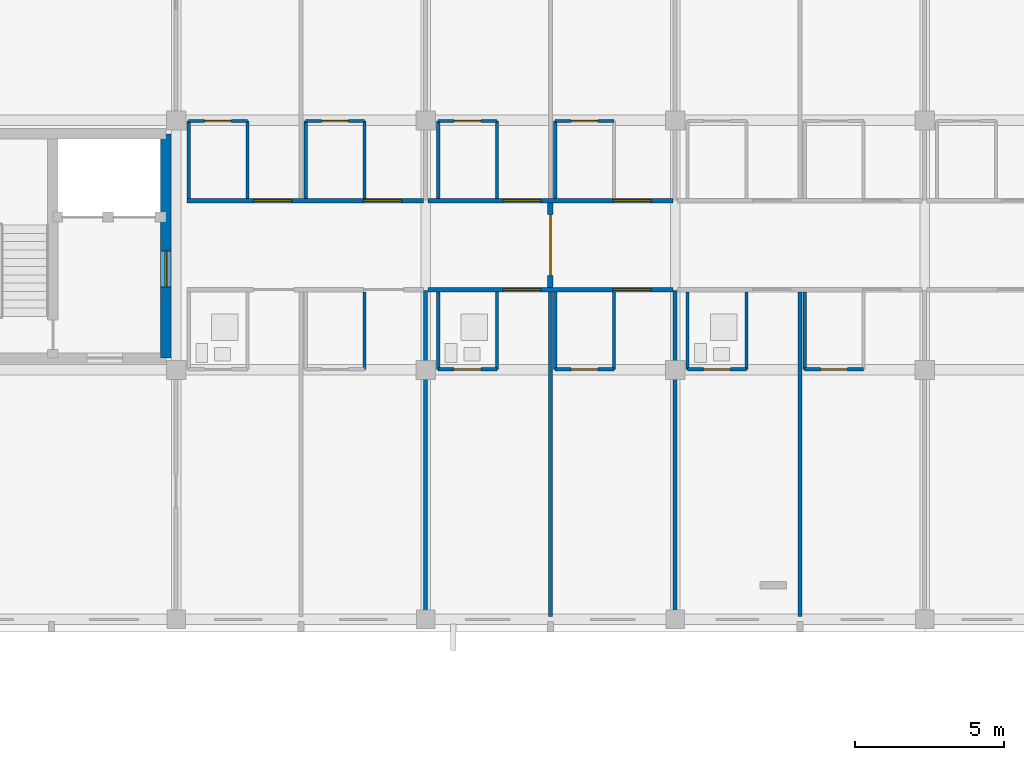
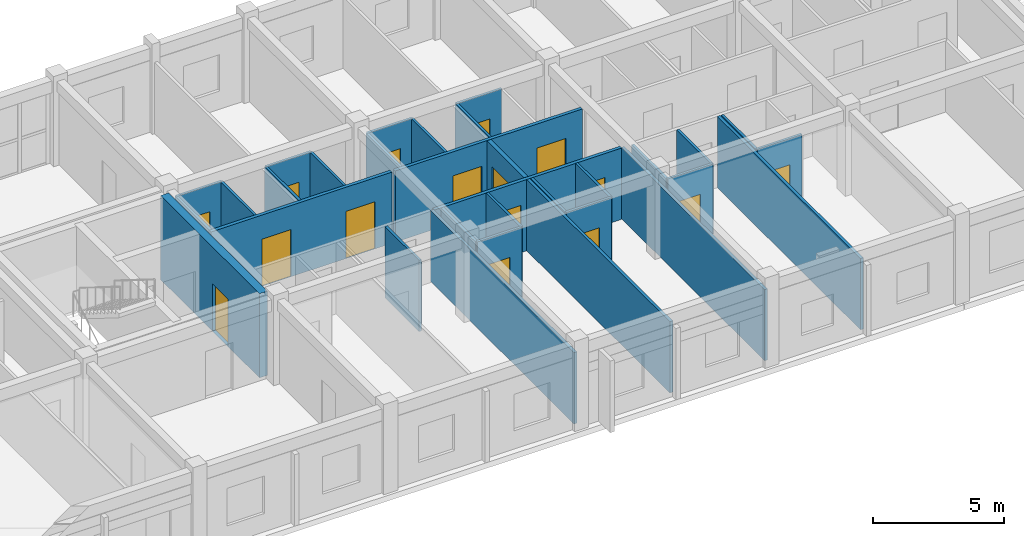
# One storey, part 67 of 81: 32 walls, 16 doors, 16 openings.
"""IFC4 building model written with IfcOpenShell, lengths in metres."""

from ifc_helpers import new_model, si_unit, direction, frame, frame_2d, origin, place, context, subcontext, project, spatial, rectangle, extrude, material, layer, layer_set, type_object, element, fill, save


model = new_model("IFC4")

# Units and contexts
model_context = context("Model", 3, precision=1e-05, world=origin(), true_north=direction((0.0, 1.0)))
body_context = subcontext(model_context, "Body", "Model", "MODEL_VIEW")
ifc_project = project(units=[si_unit("LENGTHUNIT", "METRE"), si_unit("AREAUNIT", "SQUARE_METRE"), si_unit("VOLUMEUNIT", "CUBIC_METRE"), si_unit("PLANEANGLEUNIT", "RADIAN"), si_unit("MASSUNIT", "GRAM", prefix="KILO")], contexts=[model_context])

# Site, building, storey
site_placement = place(None, origin())
site = spatial("IfcSite", under=ifc_project, at=site_placement, CompositionType="ELEMENT")
building_placement = place(site_placement, origin())
building = spatial("IfcBuilding", under=site, at=building_placement, Name="Trelvath General Hospital", CompositionType="ELEMENT")
storey_placement = place(building_placement, frame((0.0, 0.0, 24.60009765625)))
storey = spatial("IfcBuildingStorey", under=building, at=storey_placement, Name="L06", CompositionType="ELEMENT", Elevation=24.60009765625)

# Wall, openings, doors
ifc_material_1 = material(Name="Gypsum acoustic steel-stud partition", Category="steel")
ifc_layer_1 = layer(ifc_material_1, 0.14990234375)
ifc_layer_set_1 = layer_set([ifc_layer_1], Name="Gypsum acoustic steel-stud partition")
wall_type_1 = type_object("IfcWallType", Name="ClinicalPartition 150", PredefinedType="PARTITIONING", material=ifc_layer_set_1)
wall_1_placement = place(storey_placement, frame((58.719970703125, 106.5, 0.0), z_axis=(0.0, 0.0, 1.0), x_axis=(-1.0, 0.0, 0.0)))
wall_1 = element("IfcWall", 1, at=wall_1_placement, inside=storey, type_object=wall_type_1, Name="Corridor Partition N L06-2179", PredefinedType="PARTITIONING", context=body_context, shape_type="SweptSolid", body=[
    extrude(rectangle(XDim=7.9599609375, YDim=0.14990234375, at=frame_2d((3.97998046875, 0.0))), origin(), (0.0, 0.0, 1.0), 3.31982421875),
])
opening_1_placement = place(wall_1_placement, frame((0.72998046875, 0.0, 0.0)))
opening_1 = element("IfcOpeningElement", 2, at=opening_1_placement, cuts=wall_1, Name="Opening D-6-1385", PredefinedType="OPENING", context=body_context, shape_type="SweptSolid", body=[
    extrude(rectangle(XDim=1.280029296875, YDim=2.199951171875, at=frame_2d((0.64013671875, 1.10009765625))), frame((0.0, 0.0849609375, 0.0), z_axis=(0.0, -1.0, 0.0), x_axis=(1.0, 0.0, 0.0)), (0.0, 0.0, 1.0), 0.169921875),
])
opening_2_placement = place(wall_1_placement, frame((4.429931640625, 0.0, 0.0)))
opening_2 = element("IfcOpeningElement", 3, at=opening_2_placement, cuts=wall_1, Name="Opening D-6-1386", PredefinedType="OPENING", context=body_context, shape_type="SweptSolid", body=[
    extrude(rectangle(XDim=1.280029296875, YDim=2.199951171875, at=frame_2d((0.64013671875, 1.10009765625))), frame((0.0, 0.0849609375, 0.0), z_axis=(0.0, -1.0, 0.0), x_axis=(1.0, 0.0, 0.0)), (0.0, 0.0, 1.0), 0.169921875),
])
ifc_material_2 = material(Name="Pediatric ward timber door", Category="wood")
door_type_1 = type_object("IfcDoorType", Name="Door PatientPeds 1280x2200", OperationType="NOTDEFINED", PredefinedType="DOOR", material=ifc_material_2)
door_1_placement = place(opening_1_placement, origin())
door_1 = element("IfcDoor", 4, at=door_1_placement, inside=storey, type_object=door_type_1, Name="Patient Room Door N L06-1385", OperationType="SINGLE_SWING_RIGHT", OverallHeight=2.199951171875, OverallWidth=1.280029296875, PredefinedType="DOOR", context=body_context, shape_type="SweptSolid", body=[
    extrude(rectangle(XDim=1.280029296875, YDim=2.199951171875, at=frame_2d((0.64013671875, 1.10009765625))), frame((0.0, 0.02490234375, 0.0), z_axis=(0.0, -1.0, 0.0), x_axis=(1.0, 0.0, 0.0)), (0.0, 0.0, 1.0), 0.050048828125),
])
fill(opening_1, door_1)
door_2_placement = place(opening_2_placement, origin())
door_2 = element("IfcDoor", 5, at=door_2_placement, inside=storey, type_object=door_type_1, Name="Patient Room Door N L06-1386", OperationType="SINGLE_SWING_RIGHT", OverallHeight=2.199951171875, OverallWidth=1.280029296875, PredefinedType="DOOR", context=body_context, shape_type="SweptSolid", body=[
    extrude(rectangle(XDim=1.280029296875, YDim=2.199951171875, at=frame_2d((0.64013671875, 1.10009765625))), frame((0.0, 0.02490234375, 0.0), z_axis=(0.0, -1.0, 0.0), x_axis=(1.0, 0.0, 0.0)), (0.0, 0.0, 1.0), 0.050048828125),
])
fill(opening_2, door_2)

wall_2_placement = place(storey_placement, frame((58.8798828125, 103.5, 0.0), z_axis=(0.0, 0.0, 1.0), x_axis=(1.0, 0.0, 0.0)))
wall_2 = element("IfcWall", 6, at=wall_2_placement, inside=storey, type_object=wall_type_1, Name="Corridor Partition L06-2189", PredefinedType="PARTITIONING", context=body_context, shape_type="SweptSolid", body=[
    extrude(rectangle(XDim=8.240234375, YDim=0.14990234375, at=frame_2d((4.1201171875, 0.0))), origin(), (0.0, 0.0, 1.0), 3.31982421875),
])
opening_3_placement = place(wall_2_placement, frame((2.530029296875, 0.0, 0.0)))
opening_3 = element("IfcOpeningElement", 7, at=opening_3_placement, cuts=wall_2, Name="Opening D-6-1389", PredefinedType="OPENING", context=body_context, shape_type="SweptSolid", body=[
    extrude(rectangle(XDim=1.280029296875, YDim=2.199951171875, at=frame_2d((0.64013671875, 1.10009765625))), frame((0.0, 0.0849609375, 0.0), z_axis=(0.0, -1.0, 0.0), x_axis=(1.0, 0.0, 0.0)), (0.0, 0.0, 1.0), 0.169921875),
])
opening_4_placement = place(wall_2_placement, frame((6.22998046875, 0.0, 0.0)))
opening_4 = element("IfcOpeningElement", 8, at=opening_4_placement, cuts=wall_2, Name="Opening D-6-1390", PredefinedType="OPENING", context=body_context, shape_type="SweptSolid", body=[
    extrude(rectangle(XDim=1.280029296875, YDim=2.199951171875, at=frame_2d((0.64013671875, 1.10009765625))), frame((0.0, 0.0849609375, 0.0), z_axis=(0.0, -1.0, 0.0), x_axis=(1.0, 0.0, 0.0)), (0.0, 0.0, 1.0), 0.169921875),
])
door_3_placement = place(opening_3_placement, origin())
door_3 = element("IfcDoor", 9, at=door_3_placement, inside=storey, type_object=door_type_1, Name="Patient Room Door L06-1389", OperationType="SINGLE_SWING_LEFT", OverallHeight=2.199951171875, OverallWidth=1.280029296875, PredefinedType="DOOR", context=body_context, shape_type="SweptSolid", body=[
    extrude(rectangle(XDim=1.280029296875, YDim=2.199951171875, at=frame_2d((0.64013671875, 1.10009765625))), frame((0.0, 0.02490234375, 0.0), z_axis=(0.0, -1.0, 0.0), x_axis=(1.0, 0.0, 0.0)), (0.0, 0.0, 1.0), 0.050048828125),
])
fill(opening_3, door_3)
door_4_placement = place(opening_4_placement, origin())
door_4 = element("IfcDoor", 10, at=door_4_placement, inside=storey, type_object=door_type_1, Name="Patient Room Door L06-1390", OperationType="SINGLE_SWING_RIGHT", OverallHeight=2.199951171875, OverallWidth=1.280029296875, PredefinedType="DOOR", context=body_context, shape_type="SweptSolid", body=[
    extrude(rectangle(XDim=1.280029296875, YDim=2.199951171875, at=frame_2d((0.64013671875, 1.10009765625))), frame((0.0, 0.02490234375, 0.0), z_axis=(0.0, -1.0, 0.0), x_axis=(1.0, 0.0, 0.0)), (0.0, 0.0, 1.0), 0.050048828125),
])
fill(opening_4, door_4)

wall_3_placement = place(storey_placement, frame((67.1201171875, 106.5, 0.0), z_axis=(0.0, 0.0, 1.0), x_axis=(-1.0, 0.0, 0.0)))
wall_3 = element("IfcWall", 11, at=wall_3_placement, inside=storey, type_object=wall_type_1, Name="Corridor Partition N L06-2197", PredefinedType="PARTITIONING", context=body_context, shape_type="SweptSolid", body=[
    extrude(rectangle(XDim=8.240234375, YDim=0.14990234375, at=frame_2d((4.1201171875, 0.0))), origin(), (0.0, 0.0, 1.0), 3.31982421875),
])
opening_5_placement = place(wall_3_placement, frame((0.72998046875, 0.0, 0.0)))
opening_5 = element("IfcOpeningElement", 12, at=opening_5_placement, cuts=wall_3, Name="Opening D-6-1393", PredefinedType="OPENING", context=body_context, shape_type="SweptSolid", body=[
    extrude(rectangle(XDim=1.280029296875, YDim=2.199951171875, at=frame_2d((0.64013671875, 1.10009765625))), frame((0.0, 0.0849609375, 0.0), z_axis=(0.0, -1.0, 0.0), x_axis=(1.0, 0.0, 0.0)), (0.0, 0.0, 1.0), 0.169921875),
])
opening_6_placement = place(wall_3_placement, frame((4.429931640625, 0.0, 0.0)))
opening_6 = element("IfcOpeningElement", 13, at=opening_6_placement, cuts=wall_3, Name="Opening D-6-1394", PredefinedType="OPENING", context=body_context, shape_type="SweptSolid", body=[
    extrude(rectangle(XDim=1.280029296875, YDim=2.199951171875, at=frame_2d((0.64013671875, 1.10009765625))), frame((0.0, 0.0849609375, 0.0), z_axis=(0.0, -1.0, 0.0), x_axis=(1.0, 0.0, 0.0)), (0.0, 0.0, 1.0), 0.169921875),
])
door_5_placement = place(opening_5_placement, origin())
door_5 = element("IfcDoor", 14, at=door_5_placement, inside=storey, type_object=door_type_1, Name="Patient Room Door N L06-1393", OperationType="SINGLE_SWING_LEFT", OverallHeight=2.199951171875, OverallWidth=1.280029296875, PredefinedType="DOOR", context=body_context, shape_type="SweptSolid", body=[
    extrude(rectangle(XDim=1.280029296875, YDim=2.199951171875, at=frame_2d((0.64013671875, 1.10009765625))), frame((0.0, 0.02490234375, 0.0), z_axis=(0.0, -1.0, 0.0), x_axis=(1.0, 0.0, 0.0)), (0.0, 0.0, 1.0), 0.050048828125),
])
fill(opening_5, door_5)
door_6_placement = place(opening_6_placement, origin())
door_6 = element("IfcDoor", 15, at=door_6_placement, inside=storey, type_object=door_type_1, Name="Patient Room Door N L06-1394", OperationType="SINGLE_SWING_LEFT", OverallHeight=2.199951171875, OverallWidth=1.280029296875, PredefinedType="DOOR", context=body_context, shape_type="SweptSolid", body=[
    extrude(rectangle(XDim=1.280029296875, YDim=2.199951171875, at=frame_2d((0.64013671875, 1.10009765625))), frame((0.0, 0.02490234375, 0.0), z_axis=(0.0, -1.0, 0.0), x_axis=(1.0, 0.0, 0.0)), (0.0, 0.0, 1.0), 0.050048828125),
])
fill(opening_6, door_6)

# Wall, opening, door
ifc_material_3 = material(Name="Concrete C40/50", Category="concrete")
ifc_layer_2 = layer(ifc_material_3, 0.35009765625)
ifc_layer_set_2 = layer_set([ifc_layer_2], Name="Concrete C40/50")
wall_type_2 = type_object("IfcWallType", Name="CoreShearWall 350", PredefinedType="SHEAR", material=ifc_layer_set_2)
wall_4_placement = place(storey_placement, frame((50.050048828125, 101.199951171875, 0.0), z_axis=(0.0, 0.0, 1.0), x_axis=(0.0, 1.0, 0.0)))
wall_4 = element("IfcWall", 16, at=wall_4_placement, inside=storey, type_object=wall_type_2, Name="Core Shear Wall C1 E L06", PredefinedType="SHEAR", context=body_context, shape_type="SweptSolid", body=[
    extrude(rectangle(XDim=7.550048828125, YDim=0.35009765625, at=frame_2d((3.77490234375, 0.0))), origin(), (0.0, 0.0, 1.0), 3.919921875),
])
opening_7_placement = place(wall_4_placement, frame((2.39990234375, 0.0, 0.0)))
opening_7 = element("IfcOpeningElement", 17, at=opening_7_placement, cuts=wall_4, Name="Opening FD-LE16", PredefinedType="OPENING", context=body_context, shape_type="SweptSolid", body=[
    extrude(rectangle(XDim=1.199951171875, YDim=2.199951171875, at=frame_2d((0.60009765625, 1.10009765625))), frame((0.0, 0.18505859375, 0.0), z_axis=(0.0, -1.0, 0.0), x_axis=(1.0, 0.0, 0.0)), (0.0, 0.0, 1.0), 0.3701171875),
])
ifc_material_4 = material(Name="Fire-rated steel door", Category="steel")
door_type_2 = type_object("IfcDoorType", Name="Door FireLobby 1200x2200", OperationType="NOTDEFINED", PredefinedType="DOOR", material=ifc_material_4)
door_7_placement = place(opening_7_placement, origin())
door_7 = element("IfcDoor", 18, at=door_7_placement, inside=storey, type_object=door_type_2, Name="Fire Lobby East Corridor Door C1 L06", OperationType="SINGLE_SWING_LEFT", OverallHeight=2.199951171875, OverallWidth=1.199951171875, PredefinedType="DOOR", context=body_context, shape_type="SweptSolid", body=[
    extrude(rectangle(XDim=1.199951171875, YDim=2.199951171875, at=frame_2d((0.60009765625, 1.10009765625))), frame((0.0, 0.02490234375, 0.0), z_axis=(0.0, -1.0, 0.0), x_axis=(1.0, 0.0, 0.0)), (0.0, 0.0, 1.0), 0.050048828125),
])
fill(opening_7, door_7)

# Walls
ifc_material_5 = material(Name="Moisture-resistant tile partition")
ifc_layer_3 = layer(ifc_material_5, 0.110107421875)
ifc_layer_set_3 = layer_set([ifc_layer_3], Name="Moisture-resistant tile partition")
wall_type_3 = type_object("IfcWallType", Name="EnSuiteWetWall 110", PredefinedType="PARTITIONING", material=ifc_layer_set_3)
for number, where, z_axis, x_axis, name in (
    (19, (56.739990234375, 100.820068359375, 0.0), (0.0, 0.0, 1.0), (0.0, 1.0, 0.0), "En-Suite E Wall L06-2177"),
    (20, (50.820068359375, 106.570068359375, 0.0), (0.0, 0.0, 1.0), (0.0, 1.0, 0.0), "En-Suite W Wall N L06-2181"),
    (21, (52.800048828125, 106.570068359375, 0.0), (0.0, 0.0, 1.0), (0.0, 1.0, 0.0), "En-Suite E Wall N L06-2182"),
):
    element("IfcWall", number, at=place(storey_placement, frame(where, z_axis=z_axis, x_axis=x_axis)), inside=storey, type_object=wall_type_3, Name=name, PredefinedType="PARTITIONING", context=body_context, shape_type="SweptSolid", body=[
        extrude(rectangle(XDim=2.60986328125, YDim=0.110107421875, at=frame_2d((1.304931640625, 0.0))), origin(), (0.0, 0.0, 1.0), 3.31982421875),
    ])

# Wall, opening, door
wall_5_placement = place(storey_placement, frame((50.820068359375, 109.179931640625, 0.0), z_axis=(0.0, 0.0, 1.0), x_axis=(1.0, 0.0, 0.0)))
wall_5 = element("IfcWall", 22, at=wall_5_placement, inside=storey, type_object=wall_type_3, Name="En-Suite Bathroom N Partition L06-2183", PredefinedType="PARTITIONING", context=body_context, shape_type="SweptSolid", body=[
    extrude(rectangle(XDim=1.97998046875, YDim=0.110107421875, at=frame_2d((0.989990234375, 0.0))), origin(), (0.0, 0.0, 1.0), 3.31982421875),
])
opening_8_placement = place(wall_5_placement, frame((0.5400390625, 0.0, 0.0)))
opening_8 = element("IfcOpeningElement", 23, at=opening_8_placement, cuts=wall_5, Name="Opening D-6-1387", PredefinedType="OPENING", context=body_context, shape_type="SweptSolid", body=[
    extrude(rectangle(XDim=0.89990234375, YDim=2.10009765625, at=frame_2d((0.449951171875, 1.050048828125))), frame((0.0, 0.06494140625, 0.0), z_axis=(0.0, -1.0, 0.0), x_axis=(1.0, 0.0, 0.0)), (0.0, 0.0, 1.0), 0.130126953125),
])
ifc_material_6 = material(Name="Moisture-sealed timber leaf", Category="wood")
door_type_3 = type_object("IfcDoorType", Name="Door EnSuite 900x2100", OperationType="NOTDEFINED", PredefinedType="DOOR", material=ifc_material_6)
door_8_placement = place(opening_8_placement, origin())
door_8 = element("IfcDoor", 24, at=door_8_placement, inside=storey, type_object=door_type_3, Name="En-Suite Bathroom N Door L06-1387", OperationType="SINGLE_SWING_LEFT", OverallHeight=2.10009765625, OverallWidth=0.89990234375, PredefinedType="DOOR", context=body_context, shape_type="SweptSolid", body=[
    extrude(rectangle(XDim=0.89990234375, YDim=2.10009765625, at=frame_2d((0.449951171875, 1.050048828125))), frame((0.0, 0.02490234375, 0.0), z_axis=(0.0, -1.0, 0.0), x_axis=(1.0, 0.0, 0.0)), (0.0, 0.0, 1.0), 0.050048828125),
])
fill(opening_8, door_8)

# Walls
for number, where, z_axis, x_axis, name in (
    (25, (54.760009765625, 106.570068359375, 0.0), (0.0, 0.0, 1.0), (0.0, 1.0, 0.0), "En-Suite W Wall N L06-2184"),
    (26, (56.739990234375, 106.570068359375, 0.0), (0.0, 0.0, 1.0), (0.0, 1.0, 0.0), "En-Suite E Wall N L06-2185"),
):
    element("IfcWall", number, at=place(storey_placement, frame(where, z_axis=z_axis, x_axis=x_axis)), inside=storey, type_object=wall_type_3, Name=name, PredefinedType="PARTITIONING", context=body_context, shape_type="SweptSolid", body=[
        extrude(rectangle(XDim=2.60986328125, YDim=0.110107421875, at=frame_2d((1.304931640625, 0.0))), origin(), (0.0, 0.0, 1.0), 3.31982421875),
    ])

# Wall, opening, door
wall_6_placement = place(storey_placement, frame((54.760009765625, 109.179931640625, 0.0), z_axis=(0.0, 0.0, 1.0), x_axis=(1.0, 0.0, 0.0)))
wall_6 = element("IfcWall", 27, at=wall_6_placement, inside=storey, type_object=wall_type_3, Name="En-Suite Bathroom N Partition L06-2186", PredefinedType="PARTITIONING", context=body_context, shape_type="SweptSolid", body=[
    extrude(rectangle(XDim=1.97998046875, YDim=0.110107421875, at=frame_2d((0.989990234375, 0.0))), origin(), (0.0, 0.0, 1.0), 3.31982421875),
])
opening_9_placement = place(wall_6_placement, frame((0.5400390625, 0.0, 0.0)))
opening_9 = element("IfcOpeningElement", 28, at=opening_9_placement, cuts=wall_6, Name="Opening D-6-1388", PredefinedType="OPENING", context=body_context, shape_type="SweptSolid", body=[
    extrude(rectangle(XDim=0.89990234375, YDim=2.10009765625, at=frame_2d((0.449951171875, 1.050048828125))), frame((0.0, 0.06494140625, 0.0), z_axis=(0.0, -1.0, 0.0), x_axis=(1.0, 0.0, 0.0)), (0.0, 0.0, 1.0), 0.130126953125),
])
door_9_placement = place(opening_9_placement, origin())
door_9 = element("IfcDoor", 29, at=door_9_placement, inside=storey, type_object=door_type_3, Name="En-Suite Bathroom N Door L06-1388", OperationType="SINGLE_SWING_RIGHT", OverallHeight=2.10009765625, OverallWidth=0.89990234375, PredefinedType="DOOR", context=body_context, shape_type="SweptSolid", body=[
    extrude(rectangle(XDim=0.89990234375, YDim=2.10009765625, at=frame_2d((0.449951171875, 1.050048828125))), frame((0.0, 0.02490234375, 0.0), z_axis=(0.0, -1.0, 0.0), x_axis=(1.0, 0.0, 0.0)), (0.0, 0.0, 1.0), 0.050048828125),
])
fill(opening_9, door_9)

# Walls
for number, where, z_axis, x_axis, name in (
    (30, (59.219970703125, 100.820068359375, 0.0), (0.0, 0.0, 1.0), (0.0, 1.0, 0.0), "En-Suite W Wall L06-2191"),
    (31, (61.199951171875, 100.820068359375, 0.0), (0.0, 0.0, 1.0), (0.0, 1.0, 0.0), "En-Suite E Wall L06-2192"),
):
    element("IfcWall", number, at=place(storey_placement, frame(where, z_axis=z_axis, x_axis=x_axis)), inside=storey, type_object=wall_type_3, Name=name, PredefinedType="PARTITIONING", context=body_context, shape_type="SweptSolid", body=[
        extrude(rectangle(XDim=2.60986328125, YDim=0.110107421875, at=frame_2d((1.304931640625, 0.0))), origin(), (0.0, 0.0, 1.0), 3.31982421875),
    ])

# Wall, opening, door
wall_7_placement = place(storey_placement, frame((59.219970703125, 100.820068359375, 0.0), z_axis=(0.0, 0.0, 1.0), x_axis=(1.0, 0.0, 0.0)))
wall_7 = element("IfcWall", 32, at=wall_7_placement, inside=storey, type_object=wall_type_3, Name="En-Suite Bathroom Partition L06-2193", PredefinedType="PARTITIONING", context=body_context, shape_type="SweptSolid", body=[
    extrude(rectangle(XDim=1.97998046875, YDim=0.110107421875, at=frame_2d((0.989990234375, 0.0))), origin(), (0.0, 0.0, 1.0), 3.31982421875),
])
opening_10_placement = place(wall_7_placement, frame((0.5400390625, 0.0, 0.0)))
opening_10 = element("IfcOpeningElement", 33, at=opening_10_placement, cuts=wall_7, Name="Opening D-6-1391", PredefinedType="OPENING", context=body_context, shape_type="SweptSolid", body=[
    extrude(rectangle(XDim=0.89990234375, YDim=2.10009765625, at=frame_2d((0.449951171875, 1.050048828125))), frame((0.0, 0.06494140625, 0.0), z_axis=(0.0, -1.0, 0.0), x_axis=(1.0, 0.0, 0.0)), (0.0, 0.0, 1.0), 0.130126953125),
])
door_10_placement = place(opening_10_placement, origin())
door_10 = element("IfcDoor", 34, at=door_10_placement, inside=storey, type_object=door_type_3, Name="En-Suite Bathroom Door L06-1391", OperationType="SINGLE_SWING_LEFT", OverallHeight=2.10009765625, OverallWidth=0.89990234375, PredefinedType="DOOR", context=body_context, shape_type="SweptSolid", body=[
    extrude(rectangle(XDim=0.89990234375, YDim=2.10009765625, at=frame_2d((0.449951171875, 1.050048828125))), frame((0.0, 0.02490234375, 0.0), z_axis=(0.0, -1.0, 0.0), x_axis=(1.0, 0.0, 0.0)), (0.0, 0.0, 1.0), 0.050048828125),
])
fill(opening_10, door_10)

# Walls
for number, where, z_axis, x_axis, name in (
    (35, (63.159912109375, 100.820068359375, 0.0), (0.0, 0.0, 1.0), (0.0, 1.0, 0.0), "En-Suite W Wall L06-2194"),
    (36, (65.139892578125, 100.820068359375, 0.0), (0.0, 0.0, 1.0), (0.0, 1.0, 0.0), "En-Suite E Wall L06-2195"),
):
    element("IfcWall", number, at=place(storey_placement, frame(where, z_axis=z_axis, x_axis=x_axis)), inside=storey, type_object=wall_type_3, Name=name, PredefinedType="PARTITIONING", context=body_context, shape_type="SweptSolid", body=[
        extrude(rectangle(XDim=2.60986328125, YDim=0.110107421875, at=frame_2d((1.304931640625, 0.0))), origin(), (0.0, 0.0, 1.0), 3.31982421875),
    ])

# Wall, opening, door
wall_8_placement = place(storey_placement, frame((63.159912109375, 100.820068359375, 0.0), z_axis=(0.0, 0.0, 1.0), x_axis=(1.0, 0.0, 0.0)))
wall_8 = element("IfcWall", 37, at=wall_8_placement, inside=storey, type_object=wall_type_3, Name="En-Suite Bathroom Partition L06-2196", PredefinedType="PARTITIONING", context=body_context, shape_type="SweptSolid", body=[
    extrude(rectangle(XDim=1.97998046875, YDim=0.110107421875, at=frame_2d((0.989990234375, 0.0))), origin(), (0.0, 0.0, 1.0), 3.31982421875),
])
opening_11_placement = place(wall_8_placement, frame((0.5400390625, 0.0, 0.0)))
opening_11 = element("IfcOpeningElement", 38, at=opening_11_placement, cuts=wall_8, Name="Opening D-6-1392", PredefinedType="OPENING", context=body_context, shape_type="SweptSolid", body=[
    extrude(rectangle(XDim=0.89990234375, YDim=2.10009765625, at=frame_2d((0.449951171875, 1.050048828125))), frame((0.0, 0.06494140625, 0.0), z_axis=(0.0, -1.0, 0.0), x_axis=(1.0, 0.0, 0.0)), (0.0, 0.0, 1.0), 0.130126953125),
])
door_11_placement = place(opening_11_placement, origin())
door_11 = element("IfcDoor", 39, at=door_11_placement, inside=storey, type_object=door_type_3, Name="En-Suite Bathroom Door L06-1392", OperationType="SINGLE_SWING_RIGHT", OverallHeight=2.10009765625, OverallWidth=0.89990234375, PredefinedType="DOOR", context=body_context, shape_type="SweptSolid", body=[
    extrude(rectangle(XDim=0.89990234375, YDim=2.10009765625, at=frame_2d((0.449951171875, 1.050048828125))), frame((0.0, 0.02490234375, 0.0), z_axis=(0.0, -1.0, 0.0), x_axis=(1.0, 0.0, 0.0)), (0.0, 0.0, 1.0), 0.050048828125),
])
fill(opening_11, door_11)

# Walls
for number, where, z_axis, x_axis, name in (
    (40, (59.219970703125, 106.570068359375, 0.0), (0.0, 0.0, 1.0), (0.0, 1.0, 0.0), "En-Suite W Wall N L06-2199"),
    (41, (61.199951171875, 106.570068359375, 0.0), (0.0, 0.0, 1.0), (0.0, 1.0, 0.0), "En-Suite E Wall N L06-2200"),
):
    element("IfcWall", number, at=place(storey_placement, frame(where, z_axis=z_axis, x_axis=x_axis)), inside=storey, type_object=wall_type_3, Name=name, PredefinedType="PARTITIONING", context=body_context, shape_type="SweptSolid", body=[
        extrude(rectangle(XDim=2.60986328125, YDim=0.110107421875, at=frame_2d((1.304931640625, 0.0))), origin(), (0.0, 0.0, 1.0), 3.31982421875),
    ])

# Wall, opening, door
wall_9_placement = place(storey_placement, frame((59.219970703125, 109.179931640625, 0.0), z_axis=(0.0, 0.0, 1.0), x_axis=(1.0, 0.0, 0.0)))
wall_9 = element("IfcWall", 42, at=wall_9_placement, inside=storey, type_object=wall_type_3, Name="En-Suite Bathroom N Partition L06-2201", PredefinedType="PARTITIONING", context=body_context, shape_type="SweptSolid", body=[
    extrude(rectangle(XDim=1.97998046875, YDim=0.110107421875, at=frame_2d((0.989990234375, 0.0))), origin(), (0.0, 0.0, 1.0), 3.31982421875),
])
opening_12_placement = place(wall_9_placement, frame((0.5400390625, 0.0, 0.0)))
opening_12 = element("IfcOpeningElement", 43, at=opening_12_placement, cuts=wall_9, Name="Opening D-6-1395", PredefinedType="OPENING", context=body_context, shape_type="SweptSolid", body=[
    extrude(rectangle(XDim=0.89990234375, YDim=2.10009765625, at=frame_2d((0.449951171875, 1.050048828125))), frame((0.0, 0.06494140625, 0.0), z_axis=(0.0, -1.0, 0.0), x_axis=(1.0, 0.0, 0.0)), (0.0, 0.0, 1.0), 0.130126953125),
])
door_12_placement = place(opening_12_placement, origin())
door_12 = element("IfcDoor", 44, at=door_12_placement, inside=storey, type_object=door_type_3, Name="En-Suite Bathroom N Door L06-1395", OperationType="SINGLE_SWING_RIGHT", OverallHeight=2.10009765625, OverallWidth=0.89990234375, PredefinedType="DOOR", context=body_context, shape_type="SweptSolid", body=[
    extrude(rectangle(XDim=0.89990234375, YDim=2.10009765625, at=frame_2d((0.449951171875, 1.050048828125))), frame((0.0, 0.02490234375, 0.0), z_axis=(0.0, -1.0, 0.0), x_axis=(1.0, 0.0, 0.0)), (0.0, 0.0, 1.0), 0.050048828125),
])
fill(opening_12, door_12)

# Wall
wall_10_placement = place(storey_placement, frame((63.159912109375, 106.570068359375, 0.0), z_axis=(0.0, 0.0, 1.0), x_axis=(0.0, 1.0, 0.0)))
element("IfcWall", 45, at=wall_10_placement, inside=storey, type_object=wall_type_3, Name="En-Suite W Wall N L06-2202", PredefinedType="PARTITIONING", context=body_context, shape_type="SweptSolid", body=[
    extrude(rectangle(XDim=2.60986328125, YDim=0.110107421875, at=frame_2d((1.304931640625, 0.0))), origin(), (0.0, 0.0, 1.0), 3.31982421875),
])

# Wall, opening, door
wall_11_placement = place(storey_placement, frame((63.159912109375, 109.179931640625, 0.0), z_axis=(0.0, 0.0, 1.0), x_axis=(1.0, 0.0, 0.0)))
wall_11 = element("IfcWall", 46, at=wall_11_placement, inside=storey, type_object=wall_type_3, Name="En-Suite Bathroom N Partition L06-2204", PredefinedType="PARTITIONING", context=body_context, shape_type="SweptSolid", body=[
    extrude(rectangle(XDim=1.97998046875, YDim=0.110107421875, at=frame_2d((0.989990234375, 0.0))), origin(), (0.0, 0.0, 1.0), 3.31982421875),
])
opening_13_placement = place(wall_11_placement, frame((0.5400390625, 0.0, 0.0)))
opening_13 = element("IfcOpeningElement", 47, at=opening_13_placement, cuts=wall_11, Name="Opening D-6-1396", PredefinedType="OPENING", context=body_context, shape_type="SweptSolid", body=[
    extrude(rectangle(XDim=0.89990234375, YDim=2.10009765625, at=frame_2d((0.449951171875, 1.050048828125))), frame((0.0, 0.06494140625, 0.0), z_axis=(0.0, -1.0, 0.0), x_axis=(1.0, 0.0, 0.0)), (0.0, 0.0, 1.0), 0.130126953125),
])
door_13_placement = place(opening_13_placement, origin())
door_13 = element("IfcDoor", 48, at=door_13_placement, inside=storey, type_object=door_type_3, Name="En-Suite Bathroom N Door L06-1396", OperationType="SINGLE_SWING_LEFT", OverallHeight=2.10009765625, OverallWidth=0.89990234375, PredefinedType="DOOR", context=body_context, shape_type="SweptSolid", body=[
    extrude(rectangle(XDim=0.89990234375, YDim=2.10009765625, at=frame_2d((0.449951171875, 1.050048828125))), frame((0.0, 0.02490234375, 0.0), z_axis=(0.0, -1.0, 0.0), x_axis=(1.0, 0.0, 0.0)), (0.0, 0.0, 1.0), 0.050048828125),
])
fill(opening_13, door_13)

# Walls
for number, where, z_axis, x_axis, name in (
    (49, (67.6201171875, 100.820068359375, 0.0), (0.0, 0.0, 1.0), (0.0, 1.0, 0.0), "En-Suite W Wall L06-2210"),
    (50, (69.60009765625, 100.820068359375, 0.0), (0.0, 0.0, 1.0), (0.0, 1.0, 0.0), "En-Suite E Wall L06-2211"),
):
    element("IfcWall", number, at=place(storey_placement, frame(where, z_axis=z_axis, x_axis=x_axis)), inside=storey, type_object=wall_type_3, Name=name, PredefinedType="PARTITIONING", context=body_context, shape_type="SweptSolid", body=[
        extrude(rectangle(XDim=2.60986328125, YDim=0.110107421875, at=frame_2d((1.304931640625, 0.0))), origin(), (0.0, 0.0, 1.0), 3.31982421875),
    ])

# Wall, opening, door
wall_12_placement = place(storey_placement, frame((67.6201171875, 100.820068359375, 0.0), z_axis=(0.0, 0.0, 1.0), x_axis=(1.0, 0.0, 0.0)))
wall_12 = element("IfcWall", 51, at=wall_12_placement, inside=storey, type_object=wall_type_3, Name="En-Suite Bathroom Partition L06-2212", PredefinedType="PARTITIONING", context=body_context, shape_type="SweptSolid", body=[
    extrude(rectangle(XDim=1.97998046875, YDim=0.110107421875, at=frame_2d((0.989990234375, 0.0))), origin(), (0.0, 0.0, 1.0), 3.31982421875),
])
opening_14_placement = place(wall_12_placement, frame((0.5400390625, 0.0, 0.0)))
opening_14 = element("IfcOpeningElement", 52, at=opening_14_placement, cuts=wall_12, Name="Opening D-6-1400", PredefinedType="OPENING", context=body_context, shape_type="SweptSolid", body=[
    extrude(rectangle(XDim=0.89990234375, YDim=2.10009765625, at=frame_2d((0.449951171875, 1.050048828125))), frame((0.0, 0.06494140625, 0.0), z_axis=(0.0, -1.0, 0.0), x_axis=(1.0, 0.0, 0.0)), (0.0, 0.0, 1.0), 0.130126953125),
])
door_14_placement = place(opening_14_placement, origin())
door_14 = element("IfcDoor", 53, at=door_14_placement, inside=storey, type_object=door_type_3, Name="En-Suite Bathroom Door L06-1400", OperationType="SINGLE_SWING_RIGHT", OverallHeight=2.10009765625, OverallWidth=0.89990234375, PredefinedType="DOOR", context=body_context, shape_type="SweptSolid", body=[
    extrude(rectangle(XDim=0.89990234375, YDim=2.10009765625, at=frame_2d((0.449951171875, 1.050048828125))), frame((0.0, 0.02490234375, 0.0), z_axis=(0.0, -1.0, 0.0), x_axis=(1.0, 0.0, 0.0)), (0.0, 0.0, 1.0), 0.050048828125),
])
fill(opening_14, door_14)

# Wall
wall_13_placement = place(storey_placement, frame((71.56005859375, 100.820068359375, 0.0), z_axis=(0.0, 0.0, 1.0), x_axis=(0.0, 1.0, 0.0)))
element("IfcWall", 54, at=wall_13_placement, inside=storey, type_object=wall_type_3, Name="En-Suite W Wall L06-2213", PredefinedType="PARTITIONING", context=body_context, shape_type="SweptSolid", body=[
    extrude(rectangle(XDim=2.60986328125, YDim=0.110107421875, at=frame_2d((1.304931640625, 0.0))), origin(), (0.0, 0.0, 1.0), 3.31982421875),
])

# Wall, opening, door
wall_14_placement = place(storey_placement, frame((71.56005859375, 100.820068359375, 0.0), z_axis=(0.0, 0.0, 1.0), x_axis=(1.0, 0.0, 0.0)))
wall_14 = element("IfcWall", 55, at=wall_14_placement, inside=storey, type_object=wall_type_3, Name="En-Suite Bathroom Partition L06-2215", PredefinedType="PARTITIONING", context=body_context, shape_type="SweptSolid", body=[
    extrude(rectangle(XDim=1.97998046875, YDim=0.110107421875, at=frame_2d((0.989990234375, 0.0))), origin(), (0.0, 0.0, 1.0), 3.31982421875),
])
opening_15_placement = place(wall_14_placement, frame((0.5400390625, 0.0, 0.0)))
opening_15 = element("IfcOpeningElement", 56, at=opening_15_placement, cuts=wall_14, Name="Opening D-6-1401", PredefinedType="OPENING", context=body_context, shape_type="SweptSolid", body=[
    extrude(rectangle(XDim=0.89990234375, YDim=2.10009765625, at=frame_2d((0.449951171875, 1.050048828125))), frame((0.0, 0.06494140625, 0.0), z_axis=(0.0, -1.0, 0.0), x_axis=(1.0, 0.0, 0.0)), (0.0, 0.0, 1.0), 0.130126953125),
])
door_15_placement = place(opening_15_placement, origin())
door_15 = element("IfcDoor", 57, at=door_15_placement, inside=storey, type_object=door_type_3, Name="En-Suite Bathroom Door L06-1401", OperationType="SINGLE_SWING_LEFT", OverallHeight=2.10009765625, OverallWidth=0.89990234375, PredefinedType="DOOR", context=body_context, shape_type="SweptSolid", body=[
    extrude(rectangle(XDim=0.89990234375, YDim=2.10009765625, at=frame_2d((0.449951171875, 1.050048828125))), frame((0.0, 0.02490234375, 0.0), z_axis=(0.0, -1.0, 0.0), x_axis=(1.0, 0.0, 0.0)), (0.0, 0.0, 1.0), 0.050048828125),
])
fill(opening_15, door_15)

ifc_material_7 = material(Name="Masonry fire blockwork", Category="masonry")
ifc_layer_4 = layer(ifc_material_7, 0.179931640625)
ifc_layer_set_4 = layer_set([ifc_layer_4], Name="Masonry fire blockwork")
wall_type_4 = type_object("IfcWallType", Name="SmokeBarrierWall 180", PredefinedType="PARTITIONING", material=ifc_layer_set_4)
wall_15_placement = place(storey_placement, frame((63.0, 103.580078125, 0.0), z_axis=(0.0, 0.0, 1.0), x_axis=(0.0, 1.0, 0.0)))
wall_15 = element("IfcWall", 58, at=wall_15_placement, inside=storey, type_object=wall_type_4, Name="Smoke Compartment Barrier L06-2205", PredefinedType="PARTITIONING", context=body_context, shape_type="SweptSolid", body=[
    extrude(rectangle(XDim=2.83984375, YDim=0.179931640625, at=frame_2d((1.419921875, 0.0))), origin(), (0.0, 0.0, 1.0), 3.31982421875),
])
opening_16_placement = place(wall_15_placement, frame((0.39501953125, 0.0, 0.0)))
opening_16 = element("IfcOpeningElement", 59, at=opening_16_placement, cuts=wall_15, Name="Opening SD-6-1397", PredefinedType="OPENING", context=body_context, shape_type="SweptSolid", body=[
    extrude(rectangle(XDim=2.050048828125, YDim=2.35009765625, at=frame_2d((1.02490234375, 1.175048828125))), frame((0.0, 0.099853515625, 0.0), z_axis=(0.0, -1.0, 0.0), x_axis=(1.0, 0.0, 0.0)), (0.0, 0.0, 1.0), 0.199951171875),
])
ifc_material_8 = material(Name="Fire-rated steel cross-corridor pair", Category="steel")
door_type_4 = type_object("IfcDoorType", Name="Door SmokeCross 2050x2350", OperationType="DOUBLE_SWING_LEFT", PredefinedType="DOOR", material=ifc_material_8)
door_16_placement = place(opening_16_placement, origin())
door_16 = element("IfcDoor", 60, at=door_16_placement, inside=storey, type_object=door_type_4, Name="Cross-Corridor Smoke Door L06-1397", OperationType="SLIDING_TO_LEFT", OverallHeight=2.35009765625, OverallWidth=2.050048828125, PredefinedType="DOOR", context=body_context, shape_type="SweptSolid", body=[
    extrude(rectangle(XDim=2.050048828125, YDim=2.35009765625, at=frame_2d((1.02490234375, 1.175048828125))), frame((0.0, 0.02490234375, 0.0), z_axis=(0.0, -1.0, 0.0), x_axis=(1.0, 0.0, 0.0)), (0.0, 0.0, 1.0), 0.050048828125),
])
fill(opening_16, door_16)

# Walls
ifc_material_9 = material(Name="Gypsum acoustic steel-stud partition", Category="steel")
ifc_layer_5 = layer(ifc_material_9, 0.1298828125)
ifc_layer_set_5 = layer_set([ifc_layer_5], Name="Gypsum acoustic steel-stud partition")
wall_type_5 = type_object("IfcWallType", Name="WardPartition 130", PredefinedType="PARTITIONING", material=ifc_layer_set_5)
wall_16_placement = place(storey_placement, frame((58.800048828125, 92.5400390625, 0.0), z_axis=(0.0, 0.0, 1.0), x_axis=(0.0, 1.0, 0.0)))
element("IfcWall", 61, at=wall_16_placement, inside=storey, type_object=wall_type_5, Name="Inter-Bay Ward Partition S L06-2187", PredefinedType="PARTITIONING", context=body_context, shape_type="SweptSolid", body=[
    extrude(rectangle(XDim=10.93994140625, YDim=0.1298828125, at=frame_2d((5.469970703125, 0.0))), origin(), (0.0, 0.0, 1.0), 3.31982421875),
])
wall_17_placement = place(storey_placement, frame((63.0, 92.5, 0.0), z_axis=(0.0, 0.0, 1.0), x_axis=(0.0, 1.0, 0.0)))
element("IfcWall", 62, at=wall_17_placement, inside=storey, type_object=wall_type_5, Name="Room Dividing Partition S L06-2190", PredefinedType="PARTITIONING", context=body_context, shape_type="SweptSolid", body=[
    extrude(rectangle(XDim=10.929931640625, YDim=0.1298828125, at=frame_2d((5.46484375, 0.0))), origin(), (0.0, 0.0, 1.0), 3.31982421875),
])
wall_18_placement = place(storey_placement, frame((67.199951171875, 92.5400390625, 0.0), z_axis=(0.0, 0.0, 1.0), x_axis=(0.0, 1.0, 0.0)))
element("IfcWall", 63, at=wall_18_placement, inside=storey, type_object=wall_type_5, Name="Inter-Bay Ward Partition S L06-2206", PredefinedType="PARTITIONING", context=body_context, shape_type="SweptSolid", body=[
    extrude(rectangle(XDim=10.93994140625, YDim=0.1298828125, at=frame_2d((5.469970703125, 0.0))), origin(), (0.0, 0.0, 1.0), 3.31982421875),
])
wall_19_placement = place(storey_placement, frame((71.39990234375, 92.5, 0.0), z_axis=(0.0, 0.0, 1.0), x_axis=(0.0, 1.0, 0.0)))
element("IfcWall", 64, at=wall_19_placement, inside=storey, type_object=wall_type_5, Name="Room Dividing Partition S L06-2209", PredefinedType="PARTITIONING", context=body_context, shape_type="SweptSolid", body=[
    extrude(rectangle(XDim=10.929931640625, YDim=0.1298828125, at=frame_2d((5.46484375, 0.0))), origin(), (0.0, 0.0, 1.0), 3.31982421875),
])

save(model, "model.ifc")
